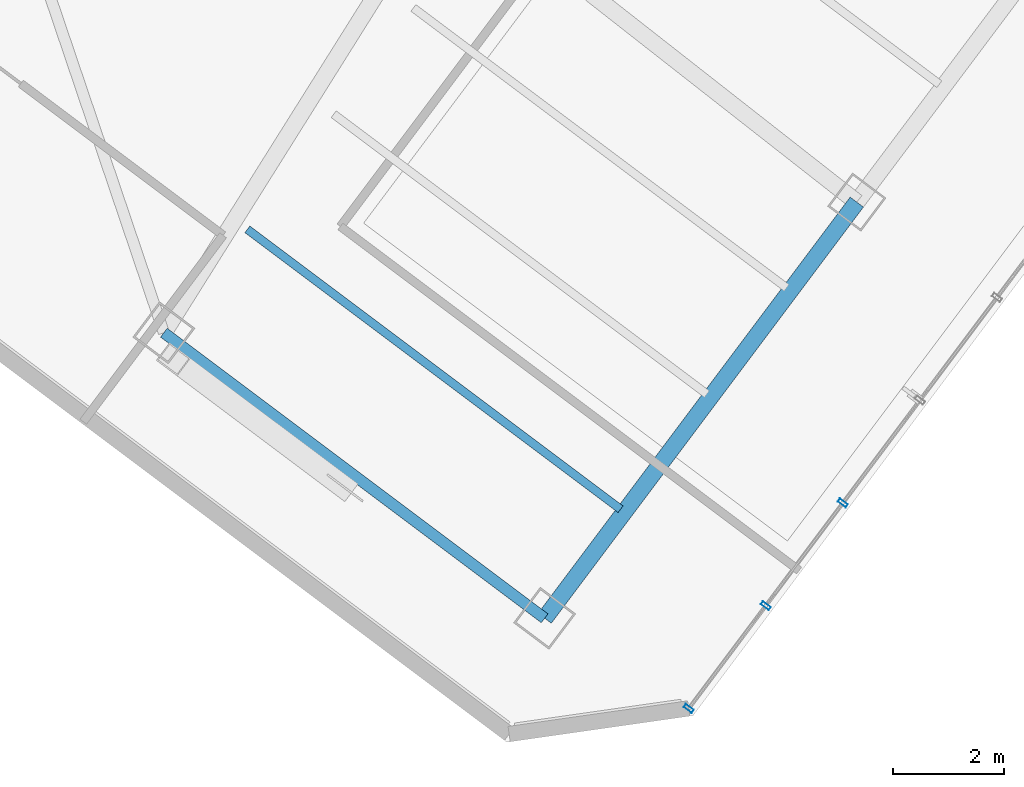
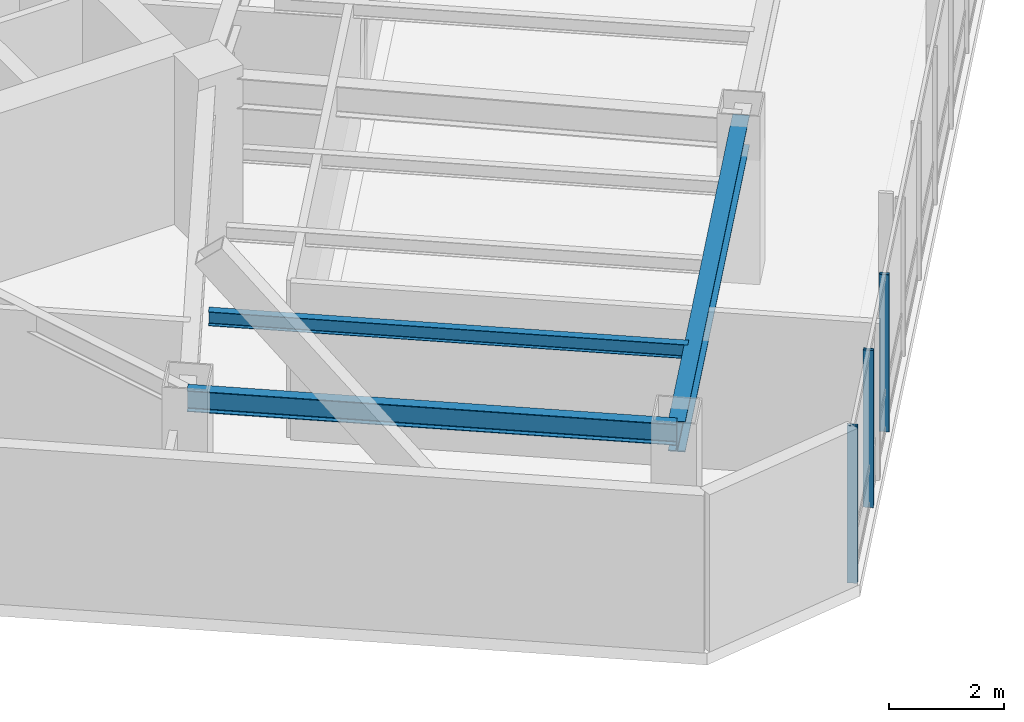
# One storey, part 10 of 28: 3 beams, 3 members, 1 element without a shape of its own.
"""IFC4 building model written with IfcOpenShell, lengths in metres."""

from ifc_helpers import new_model, si_unit, direction, frame, origin, origin_2d, place, context, subcontext, project, spatial, hollow_rectangle, i_section, extrude, material, layer, layer_set, material_profile, profile_set, type_object, element, aggregate, save


model = new_model("IFC4")

# Units and contexts
model_context = context("Model", 3, precision=1e-05, world=origin(), true_north=direction((0.0, 1.0)))
body_context = subcontext(model_context, "Body", "Model", "MODEL_VIEW")
ifc_project = project(units=[si_unit("LENGTHUNIT", "METRE"), si_unit("AREAUNIT", "SQUARE_METRE"), si_unit("VOLUMEUNIT", "CUBIC_METRE"), si_unit("PLANEANGLEUNIT", "RADIAN"), si_unit("MASSUNIT", "GRAM", prefix="KILO")], contexts=[model_context])

# Site, building, storey
site_placement = place(None, origin())
site = spatial("IfcSite", under=ifc_project, at=site_placement, CompositionType="ELEMENT")
building_placement = place(site_placement, origin())
building = spatial("IfcBuilding", under=site, at=building_placement, Name="Hatsunagi Terrace Concourse", CompositionType="ELEMENT")
storey_placement = place(building_placement, frame((0.0, 0.0, 170.85009765625)))
storey = spatial("IfcBuildingStorey", under=building, at=storey_placement, Name="L45", CompositionType="ELEMENT", Elevation=170.85009765625)

# Curtain wall, members
ifc_material_1 = material(Name="Anodised Aluminium Alloy 6063-T5", Category="aluminium")
ifc_layer = layer(ifc_material_1, 0.199951171875)
ifc_layer_set = layer_set([ifc_layer], Name="OfficeZone1_CW03")
curtain_wall_type = type_object("IfcCurtainWallType", Name="OfficeZone1_CW03", PredefinedType="NOTDEFINED", material=ifc_layer_set)
curtain_wall_placement = place(storey_placement, origin())
curtain_wall = element("IfcCurtainWall", 1, at=curtain_wall_placement, inside=storey, type_object=curtain_wall_type, Name="Unitised Curtain Wall CW-03 CW-L45-03", PredefinedType="NOTDEFINED")
ifc_material_2 = material(Name="Anodised Aluminium Alloy 6063-T5", Category="aluminium")
ifc_material_profile_1 = material_profile(ifc_material_2, hollow_rectangle(XDim=0.070068359375, YDim=0.179931640625, WallThickness=0.00390625, at=origin_2d()), Name="ALU-MUL-180x70x4")
ifc_profile_set_1 = profile_set([ifc_material_profile_1], Name="Anodised Aluminium Alloy 6063-T5")
member_type = type_object("IfcMemberType", Name="CurtainWallMullion_180x70", PredefinedType="MULLION", material=ifc_profile_set_1)
member_1_placement = place(storey_placement, frame((50.947021484375, 12.962890625, 0.0), z_axis=(0.0, 0.0, 1.0), x_axis=(-0.599969314634, -0.800023013105, 0.0)))
member_1 = element("IfcMember", 2, at=member_1_placement, type_object=member_type, Name="Curtain Wall Mullion MUL-02", PredefinedType="MULLION", context=body_context, shape_type="SweptSolid", body=[
    extrude(hollow_rectangle(XDim=0.070068359375, YDim=0.179931640625, WallThickness=0.00390625, at=origin_2d()), origin(), (0.0, 0.0, 1.0), 3.349853515625),
])
member_2_placement = place(storey_placement, frame((49.554931640625, 11.10595703125, 0.0), z_axis=(0.0, 0.0, 1.0), x_axis=(-0.599969314634, -0.800023013105, 0.0)))
member_2 = element("IfcMember", 3, at=member_2_placement, type_object=member_type, Name="Curtain Wall Mullion MUL-02", PredefinedType="MULLION", context=body_context, shape_type="SweptSolid", body=[
    extrude(hollow_rectangle(XDim=0.070068359375, YDim=0.179931640625, WallThickness=0.00390625, at=origin_2d()), origin(), (0.0, 0.0, 1.0), 3.349853515625),
])
member_3_placement = place(storey_placement, frame((48.1630859375, 9.25, 0.0), z_axis=(0.0, 0.0, 1.0), x_axis=(-0.599969314634, -0.800023013105, 0.0)))
member_3 = element("IfcMember", 4, at=member_3_placement, type_object=member_type, Name="Curtain Wall Mullion MUL-02", PredefinedType="MULLION", context=body_context, shape_type="SweptSolid", body=[
    extrude(hollow_rectangle(XDim=0.070068359375, YDim=0.179931640625, WallThickness=0.00390625, at=origin_2d()), origin(), (0.0, 0.0, 1.0), 3.349853515625),
])
aggregate(curtain_wall, [member_1, member_2, member_3])

# Beams
ifc_material_3 = material(Name="Steel SN490B", Category="steel")
ifc_material_profile_2 = material_profile(ifc_material_3, i_section(OverallWidth=0.14990234375, OverallDepth=0.300048828125, WebThickness=0.006591796875, FlangeThickness=0.009033203125, FilletRadius=0.010986328125, at=origin_2d()), Name="H-300x150x6.5x9")
ifc_profile_set_2 = profile_set([ifc_material_profile_2], Name="Steel SN490B")
beam_type_1 = type_object("IfcBeamType", Name="OfficeJoist_H_300x150", PredefinedType="JOIST", material=ifc_profile_set_2)
beam_1_placement = place(storey_placement, frame((40.18798828125, 17.908935546875, 3.199951171875), z_axis=(0.800003475366, -0.59999536615, 0.0), x_axis=(0.59999536615, 0.800003475366, 0.0)))
element("IfcBeam", 5, at=beam_1_placement, inside=storey, type_object=beam_type_1, Name="Beam J-03 J-L45-SE-2-46", PredefinedType="JOIST", context=body_context, shape_type="SweptSolid", body=[
    extrude(i_section(OverallWidth=0.14990234375, OverallDepth=0.300048828125, WebThickness=0.006591796875, FlangeThickness=0.009033203125, FilletRadius=0.010986328125, at=origin_2d()), origin(), (0.0, 0.0, 1.0), 8.429931640625),
])
ifc_material_4 = material(Name="Steel SN490B", Category="steel")
ifc_material_profile_3 = material_profile(ifc_material_4, i_section(OverallWidth=0.300048828125, OverallDepth=0.64990234375, WebThickness=0.012939453125, FlangeThickness=0.02197265625, FilletRadius=0.01806640625, at=origin_2d()), Name="H-650x300x13x22")
ifc_profile_set_3 = profile_set([ifc_material_profile_3], Name="Steel SN490B")
beam_type_2 = type_object("IfcBeamType", Name="OfficeLowGirder_H_650x300", PredefinedType="BEAM", material=ifc_profile_set_3)
beam_2_placement = place(storey_placement, frame((45.56005859375, 10.8798828125, 3.02490234375), z_axis=(0.599991688754, 0.800006233367, 0.0), x_axis=(-0.800006233367, 0.599991688754, 0.0)))
element("IfcBeam", 6, at=beam_2_placement, inside=storey, type_object=beam_type_2, Name="Beam G-05 BM-L45-SET-2A", PredefinedType="BEAM", context=body_context, shape_type="SweptSolid", body=[
    extrude(i_section(OverallWidth=0.300048828125, OverallDepth=0.64990234375, WebThickness=0.012939453125, FlangeThickness=0.02197265625, FilletRadius=0.01806640625, at=origin_2d()), origin(), (0.0, 0.0, 1.0), 9.39990234375),
])
ifc_material_5 = material(Name="Steel SN490B", Category="steel")
ifc_material_profile_4 = material_profile(ifc_material_5, i_section(OverallWidth=0.199951171875, OverallDepth=0.449951171875, WebThickness=0.009033203125, FlangeThickness=0.013916015625, FilletRadius=0.01611328125, at=origin_2d()), Name="H-450x200x9x14")
ifc_profile_set_4 = profile_set([ifc_material_profile_4], Name="Steel SN490B")
beam_type_3 = type_object("IfcBeamType", Name="PerimeterSpandrel_H_450x200", PredefinedType="SPANDREL", material=ifc_profile_set_4)
beam_3_placement = place(storey_placement, frame((38.679931640625, 16.0400390625, 3.125), z_axis=(0.799996593451, -0.600004542038, 0.0), x_axis=(0.600004542038, 0.799996593451, 0.0)))
element("IfcBeam", 7, at=beam_3_placement, inside=storey, type_object=beam_type_3, Name="Beam SP-02 BM-L45-SE-SW2", PredefinedType="SPANDREL", context=body_context, shape_type="SweptSolid", body=[
    extrude(i_section(OverallWidth=0.199951171875, OverallDepth=0.449951171875, WebThickness=0.009033203125, FlangeThickness=0.013916015625, FilletRadius=0.01611328125, at=origin_2d()), origin(), (0.0, 0.0, 1.0), 8.60009765625),
])

save(model, "model.ifc")
